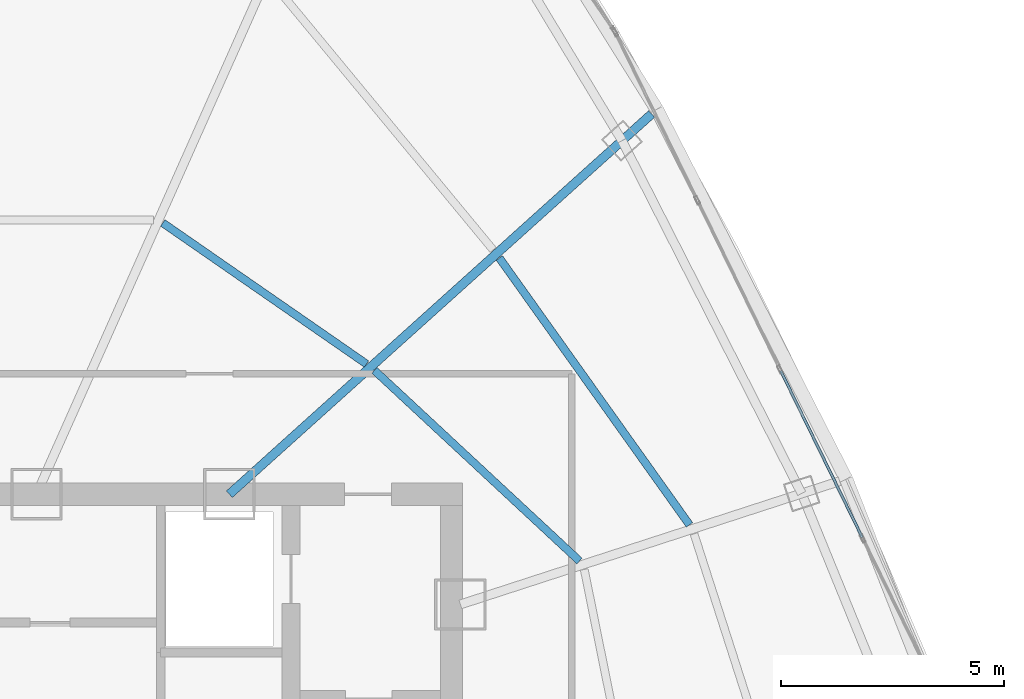
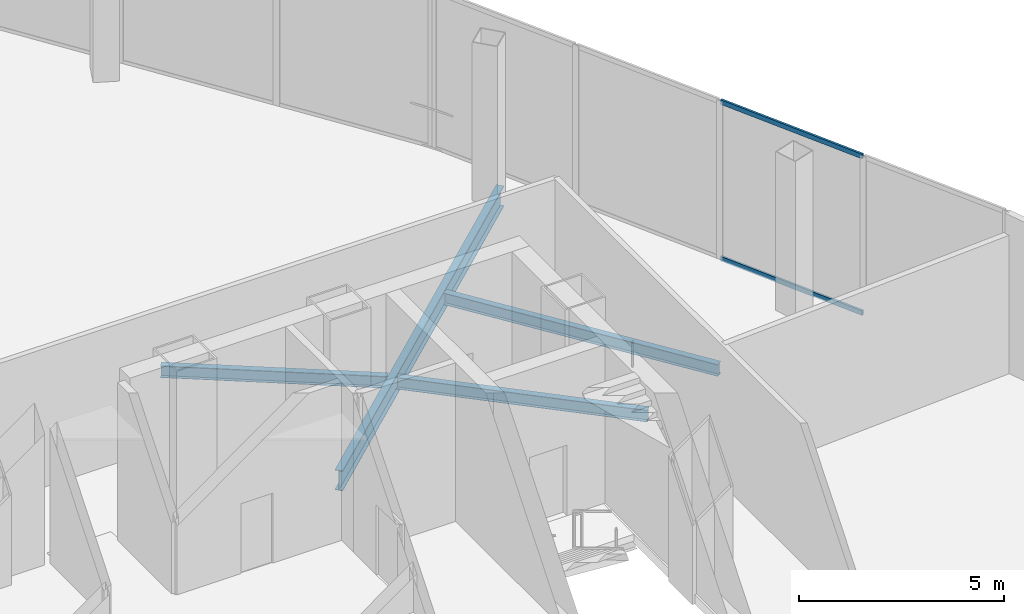
# One storey, part 19 of 33: 4 beams, 2 members, 1 element without a shape of its own.
"""IFC4 building model written with IfcOpenShell, lengths in metres."""

from ifc_helpers import new_model, si_unit, direction, frame, origin, origin_2d, place, context, subcontext, project, spatial, hollow_rectangle, i_section, extrude, source, transform, mapped, material, layer, layer_set, material_profile, profile_set, type_object, element, aggregate, save


model = new_model("IFC4")

# Units and contexts
model_context = context("Model", 3, precision=1e-05, world=origin(), true_north=direction((0.0, 1.0)))
body_context = subcontext(model_context, "Body", "Model", "MODEL_VIEW")
ifc_project = project(units=[si_unit("LENGTHUNIT", "METRE"), si_unit("AREAUNIT", "SQUARE_METRE"), si_unit("VOLUMEUNIT", "CUBIC_METRE"), si_unit("PLANEANGLEUNIT", "RADIAN"), si_unit("MASSUNIT", "GRAM", prefix="KILO"), si_unit("THERMODYNAMICTEMPERATUREUNIT", "KELVIN"), si_unit("POWERUNIT", "WATT")], contexts=[model_context])

# Site, building, storey
site_placement = place(None, origin())
site = spatial("IfcSite", under=ifc_project, at=site_placement, CompositionType="ELEMENT")
building_placement = place(site_placement, origin())
building = spatial("IfcBuilding", under=site, at=building_placement, Name="Yunzhuo Pagoda Commons", CompositionType="ELEMENT")
storey_placement = place(building_placement, frame((0.0, 0.0, 386.760009765625)))
storey = spatial("IfcBuildingStorey", under=building, at=storey_placement, Name="L96", CompositionType="ELEMENT", Elevation=386.760009765625)

# Beams
ifc_material_1 = material(Name="Structural steel Q355B", Category="steel")
ifc_material_profile_1 = material_profile(ifc_material_1, i_section(OverallWidth=0.175048828125, OverallDepth=0.35009765625, WebThickness=0.007080078125, FlangeThickness=0.010986328125, at=origin_2d()), Name="Structural steel Q355B")
ifc_profile_set_1 = profile_set([ifc_material_profile_1], Name="Structural steel Q355B")
beam_type_1 = type_object("IfcBeamType", Name="B-JS2 Joist HN 350x175x7x11", PredefinedType="JOIST", material=ifc_profile_set_1)
shared_shape_1 = source(origin(), body_context, "Body", "SweptSolid", [
    extrude(i_section(OverallWidth=0.175048828125, OverallDepth=0.35009765625, WebThickness=0.007080078125, FlangeThickness=0.010986328125, at=origin_2d()), origin(), (0.0, 0.0, 1.0), 6.277099609375),
])
beam_1_placement = place(storey_placement, frame((63.071044921875, 38.702392578125, -0.455078125), z_axis=(-0.73244154109, 0.68082992655, 0.0), x_axis=(-0.68082992655, -0.73244154109, 0.0)))
element("IfcBeam", 1, at=beam_1_placement, inside=storey, type_object=beam_type_1, Name="L96 composite ring joist 1.6", PredefinedType="JOIST", context=body_context, shape_type="MappedRepresentation", body=[
    mapped(shared_shape_1, transform((0.0, 0.0, 0.0), scale=1.0)),
])
shared_shape_2 = source(origin(), body_context, "Body", "SweptSolid", [
    extrude(i_section(OverallWidth=0.175048828125, OverallDepth=0.35009765625, WebThickness=0.007080078125, FlangeThickness=0.010986328125, at=origin_2d()), origin(), (0.0, 0.0, 1.0), 7.347900390625),
])
beam_2_placement = place(storey_placement, frame((65.53759765625, 39.513671875, -0.455078125), z_axis=(-0.580294898948, 0.814406428177, 0.0), x_axis=(-0.814406428177, -0.580294898948, 0.0)))
element("IfcBeam", 2, at=beam_2_placement, inside=storey, type_object=beam_type_1, Name="L96 composite ring joist 2.6", PredefinedType="JOIST", context=body_context, shape_type="MappedRepresentation", body=[
    mapped(shared_shape_2, transform((0.0, 0.0, 0.0), scale=1.0)),
])
shared_shape_3 = source(origin(), body_context, "Body", "SweptSolid", [
    extrude(i_section(OverallWidth=0.175048828125, OverallDepth=0.35009765625, WebThickness=0.007080078125, FlangeThickness=0.010986328125, at=origin_2d()), origin(), (0.0, 0.0, 1.0), 5.556640625),
])
beam_3_placement = place(storey_placement, frame((58.29443359375, 43.119873046875, -0.455078125), z_axis=(-0.822084621883, 0.569365326011, 0.0), x_axis=(-0.569365326011, -0.822084621883, 0.0)))
element("IfcBeam", 3, at=beam_3_placement, inside=storey, type_object=beam_type_1, Name="L96 composite ring joist 1.7", PredefinedType="JOIST", context=body_context, shape_type="MappedRepresentation", body=[
    mapped(shared_shape_3, transform((0.0, 0.0, 0.0), scale=1.0)),
])
ifc_material_profile_2 = material_profile(ifc_material_1, i_section(OverallWidth=0.199951171875, OverallDepth=0.60009765625, WebThickness=0.010986328125, FlangeThickness=0.01708984375, at=origin_2d()), Name="Structural steel Q355B")
ifc_profile_set_2 = profile_set([ifc_material_profile_2], Name="Structural steel Q355B")
beam_type_2 = type_object("IfcBeamType", Name="B-RG3 Beam HN 600x200x11x17", PredefinedType="BEAM", material=ifc_profile_set_2)
shared_shape_4 = source(origin(), body_context, "Body", "SweptSolid", [
    extrude(i_section(OverallWidth=0.199951171875, OverallDepth=0.60009765625, WebThickness=0.010986328125, FlangeThickness=0.01708984375, at=origin_2d()), origin(), (0.0, 0.0, 1.0), 12.744140625),
])
beam_4_placement = place(storey_placement, frame((64.689697265625, 48.7275390625, -0.580078125), z_axis=(-0.743139811769, -0.669136174605, 0.0), x_axis=(0.669136174605, -0.743139811769, 0.0)))
element("IfcBeam", 4, at=beam_4_placement, inside=storey, type_object=beam_type_2, Name="L96 radial floor girder F2C3", PredefinedType="BEAM", context=body_context, shape_type="MappedRepresentation", body=[
    mapped(shared_shape_4, transform((0.0, 0.0, 0.0), scale=1.0)),
])

# Curtain wall, members
ifc_material_2 = material(Name="Anodized aluminium 6063-T6", Category="aluminium")
ifc_layer = layer(ifc_material_2, 0.179931640625)
ifc_layer_set = layer_set([ifc_layer], Name="Anodized aluminium 6063-T6")
curtain_wall_type = type_object("IfcCurtainWallType", Name="CW-CRN Crown Gable Glazing System", PredefinedType="NOTDEFINED", material=ifc_layer_set)
curtain_wall_placement = place(storey_placement, origin())
curtain_wall = element("IfcCurtainWall", 5, at=curtain_wall_placement, inside=storey, type_object=curtain_wall_type, Name="L96 curtain wall CW-L96-CRNF2G1", PredefinedType="NOTDEFINED")
ifc_material_profile_3 = material_profile(ifc_material_2, hollow_rectangle(XDim=0.06005859375, YDim=0.139892578125, WallThickness=0.00341796875, at=origin_2d()), Name="Anodized aluminium 6063-T6")
ifc_profile_set_3 = profile_set([ifc_material_profile_3], Name="Anodized aluminium 6063-T6")
member_type = type_object("IfcMemberType", Name="CW-CRN-T Transom RHS 140x60x3.5", PredefinedType="USERDEFINED", material=ifc_profile_set_3)
shared_shape_5 = source(origin(), body_context, "Body", "SweptSolid", [
    extrude(hollow_rectangle(XDim=0.06005859375, YDim=0.139892578125, WallThickness=0.00341796875, at=origin_2d()), origin(), (0.0, 0.0, 1.0), 4.157470703125),
])
member_1_placement = place(storey_placement, frame((69.411376953125, 39.23193359375, 0.030029296875), z_axis=(-0.439374430699, 0.898304018497, 0.0), x_axis=(-0.898304018497, -0.439374430699, 0.0)))
member_1 = element("IfcMember", 6, at=member_1_placement, type_object=member_type, Name="CW transom 2.1", ObjectType="TRANSOM", PredefinedType="USERDEFINED", context=body_context, shape_type="MappedRepresentation", body=[
    mapped(shared_shape_5, transform((0.0, 0.0, 0.0), scale=1.0)),
])
member_2_placement = place(storey_placement, frame((69.411376953125, 39.23193359375, 4.68994140625), z_axis=(-0.439374430699, 0.898304018497, 0.0), x_axis=(-0.898304018497, -0.439374430699, 0.0)))
member_2 = element("IfcMember", 7, at=member_2_placement, type_object=member_type, Name="CW transom 2.2", ObjectType="TRANSOM", PredefinedType="USERDEFINED", context=body_context, shape_type="MappedRepresentation", body=[
    mapped(shared_shape_5, transform((0.0, 0.0, 0.0), scale=1.0)),
])
aggregate(curtain_wall, [member_1, member_2])

save(model, "model.ifc")
